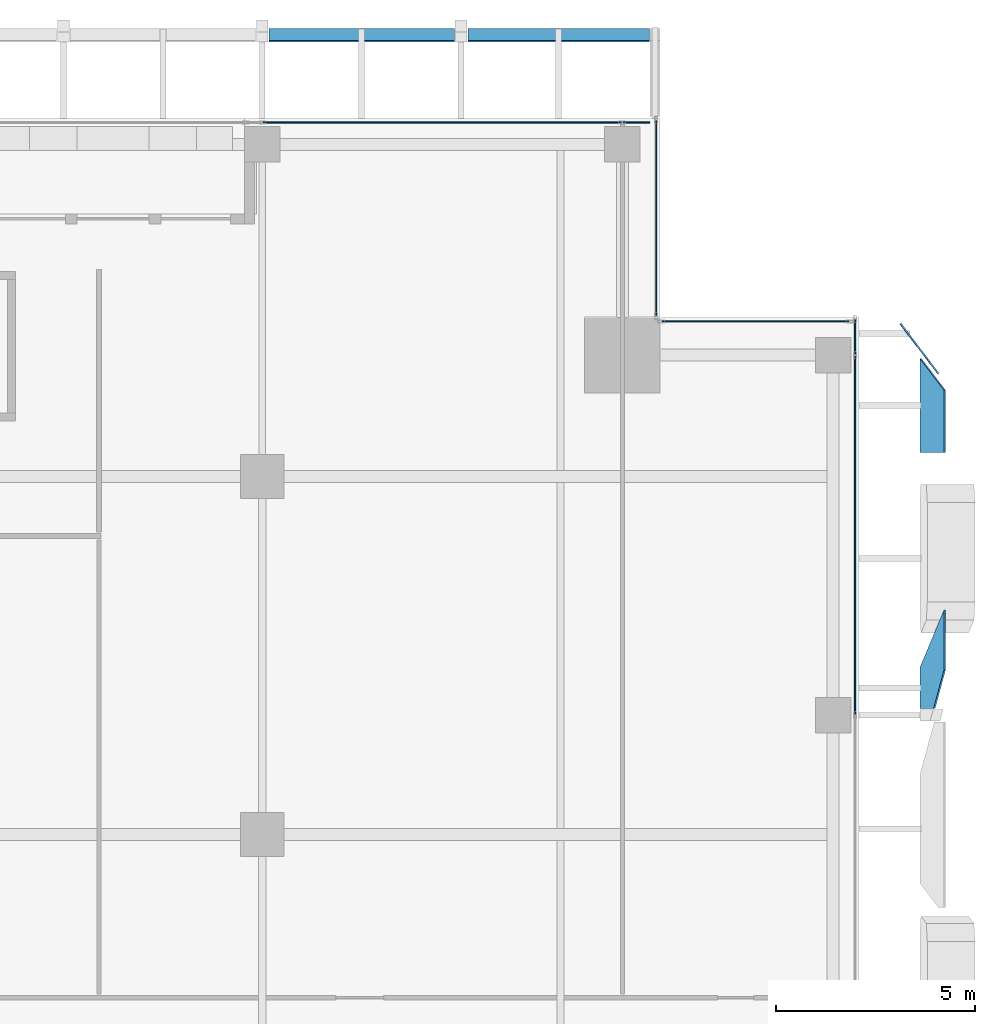
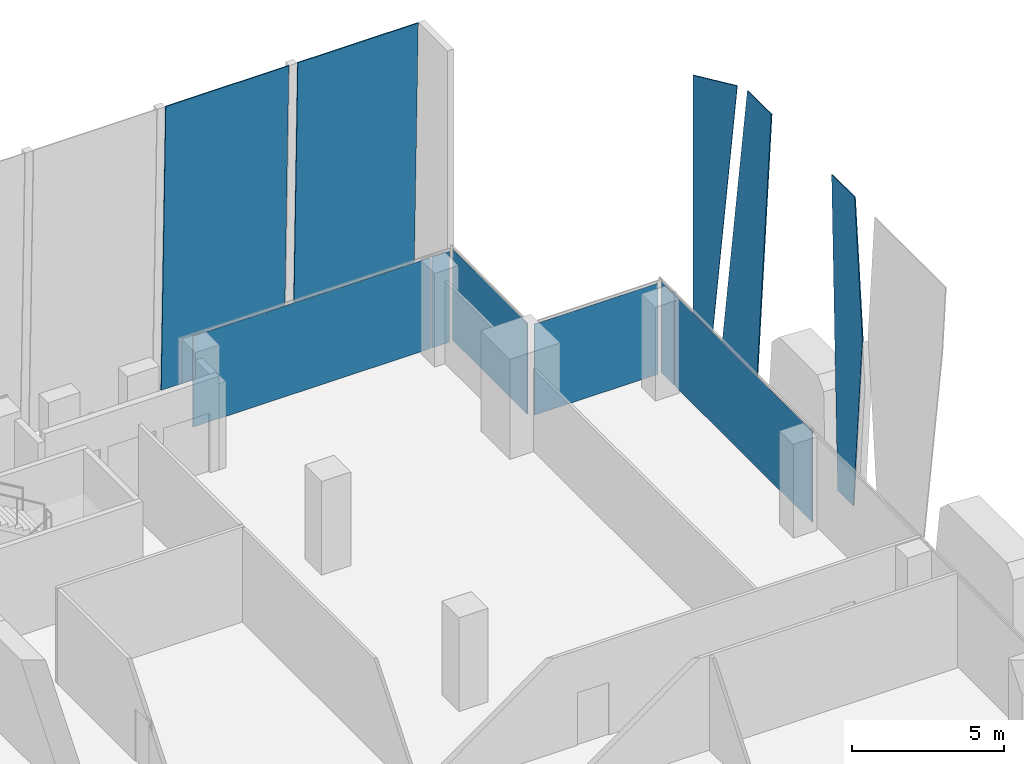
# One storey, part 25 of 33: 11 plates, 4 elements without a shape of their own.
"""IFC4 building model written with IfcOpenShell, lengths in metres."""

from ifc_helpers import new_model, si_unit, direction, frame, origin, origin_2d, place, context, subcontext, project, spatial, polyline, rectangle, outline, extrude, source, transform, mapped, material, layer, layer_set, type_object, element, aggregate, save


model = new_model("IFC4")

# Units and contexts
model_context = context("Model", 3, precision=1e-05, world=origin(), true_north=direction((0.0, 1.0)))
body_context = subcontext(model_context, "Body", "Model", "MODEL_VIEW")
ifc_project = project(units=[si_unit("LENGTHUNIT", "METRE"), si_unit("AREAUNIT", "SQUARE_METRE"), si_unit("VOLUMEUNIT", "CUBIC_METRE"), si_unit("PLANEANGLEUNIT", "RADIAN"), si_unit("MASSUNIT", "GRAM", prefix="KILO")], contexts=[model_context])

# Site, building, storey
site_placement = place(None, origin())
site = spatial("IfcSite", under=ifc_project, at=site_placement, CompositionType="ELEMENT")
building_placement = place(site_placement, origin())
building = spatial("IfcBuilding", under=site, at=building_placement, Name="Khomas Fold Tower", CompositionType="ELEMENT")
storey_placement = place(building_placement, frame((0.0, 0.0, 234.199951171875)))
storey = spatial("IfcBuildingStorey", under=building, at=storey_placement, Name="L52", CompositionType="ELEMENT", Elevation=234.199951171875)

# Plates
ifc_material_1 = material(Name="Clear laminated glass", Category="glass")
ifc_layer_1 = layer(ifc_material_1, 0.0400390625)
ifc_layer_set_1 = layer_set([ifc_layer_1], Name="Clear laminated glass")
plate_type_1 = type_object("IfcPlateType", Name="SK-Clear laminated glass leaf", PredefinedType="SHEET", material=ifc_layer_set_1)
plate_1_placement = place(storey_placement, frame((51.02880859375, 35.698486328125, 0.0), z_axis=(-0.998628934894, 2.4559259e-05, 0.052347395239), x_axis=(-2.4525586e-05, -0.999999999698, 1.285613e-06)))
element("IfcPlate", 1, at=plate_1_placement, inside=storey, type_object=plate_type_1, Name="OUTER SKIN glass L52 EG103-8", PredefinedType="SHEET", context=body_context, shape_type="SweptSolid", body=[
    extrude(outline(polyline([(0.0, 0.0), (1.028564452814807, 0.0), (1.0285644543456718, 6.553904439711552), (0.06591796814949342, 11.565907674659146), (-1.4436035157702674, 11.565907674659146), (0.0, 0.0)])), origin(), (0.0, 0.0, -1.0), 0.0400390625),
])
plate_2_placement = place(storey_placement, frame((51.02880859375, 43.46875, 0.0), z_axis=(-0.99862882819, 0.0, 0.052349436554), x_axis=(0.0, -1.0, 0.0)))
element("IfcPlate", 2, at=plate_2_placement, inside=storey, type_object=plate_type_1, Name="OUTER SKIN glass L52 EG104-10", PredefinedType="SHEET", context=body_context, shape_type="SweptSolid", body=[
    extrude(outline(polyline([(0.0, 0.0), (2.36865234375, 0.0), (2.36865234375, 11.565907674683308), (0.799560546875, 11.565907674683308), (0.0, 0.0)])), origin(), (0.0, 0.0, -1.0), 0.0400390625),
])
plate_3_placement = place(storey_placement, frame((50.877197265625, 43.86962890625, 0.0), z_axis=(-0.797399027608, -0.603452393108, 4.709485e-06), x_axis=(0.052200050116, -0.068969114787, 0.996252184928)))
element("IfcPlate", 3, at=plate_3_placement, inside=storey, type_object=plate_type_1, Name="OUTER SKIN glass L52 EG104-11", PredefinedType="SHEET", context=body_context, shape_type="SweptSolid", body=[
    extrude(outline(polyline([(0.0, 0.0), (11.59349911911952, 2.220446049250313e-16), (11.456818699888862, 1.574268515751649), (-0.04994268115327237, 0.5752337571620276), (0.0, 0.0)])), origin(), (0.0, 0.0, -1.0), 0.0400390625),
])
plate_4_placement = place(storey_placement, frame((34.669921875, 51.76513671875, 0.0009765625), z_axis=(0.0, 0.999657230839, 0.026180543005), x_axis=(1.0, 0.0, 0.0)))
element("IfcPlate", 4, at=plate_4_placement, inside=storey, type_object=plate_type_1, Name="OUTER SKIN glass L52 N11", PredefinedType="SHEET", context=body_context, shape_type="SweptSolid", body=[
    extrude(outline(polyline([(0.0, 0.0), (4.66015625, 0.0), (4.66015625, -11.554009186164079), (0.0, -11.554009186164079), (0.0, 0.0)])), origin(), (0.0, 0.0, -1.0), 0.0400390625),
])
plate_5_placement = place(storey_placement, frame((39.669921875, 51.76513671875, 0.0009765625), z_axis=(0.0, 0.999657230839, 0.026180543005), x_axis=(1.0, 0.0, 0.0)))
element("IfcPlate", 5, at=plate_5_placement, inside=storey, type_object=plate_type_1, Name="OUTER SKIN glass L52 N13", PredefinedType="SHEET", context=body_context, shape_type="SweptSolid", body=[
    extrude(outline(polyline([(0.0, 0.0), (4.56005859375, 0.0), (4.56005859375, -11.554009186164079), (0.0, -11.554009186164079), (0.0, 0.0)])), origin(), (0.0, 0.0, -1.0), 0.0400390625),
])

# Curtain wall, plate
ifc_material_2 = material(Name="Aluminium framed double glazing", Category="aluminium")
curtain_wall_type = type_object("IfcCurtainWallType", Name="SK-Unitised clear-glass wall, office floors CW2", PredefinedType="NOTDEFINED", material=ifc_material_2)
curtain_wall_1_placement = place(storey_placement, origin())
curtain_wall_1 = element("IfcCurtainWall", 6, at=curtain_wall_1_placement, inside=storey, type_object=curtain_wall_type, Name="CW2 run L52 06-0", PredefinedType="NOTDEFINED")
ifc_material_3 = material(Name="Clear double glazed unit")
ifc_layer_2 = layer(ifc_material_3, 0.030029296875)
ifc_layer_set_2 = layer_set([ifc_layer_2], Name="Clear double glazed unit")
plate_type_2 = type_object("IfcPlateType", Name="SK-Unitised clear-glass wall, office floors glass panel CW2-P", PredefinedType="CURTAIN_PANEL", material=ifc_layer_set_2)
shared_shape_1 = source(origin(), body_context, "Body", "SweptSolid", [
    extrude(rectangle(XDim=0.659912109375, YDim=0.030029296875, at=origin_2d()), origin(), (0.0, 0.0, 1.0), 3.639892578125),
])
plate_6_placement = place(storey_placement, frame((43.909912109375, 49.39990234375, 0.0), z_axis=(0.0, 0.0, 1.0), x_axis=(-1.0, 0.0, 0.0)))
plate_6 = element("IfcPlate", 7, at=plate_6_placement, type_object=plate_type_2, Name="CW2 glass panel 1", PredefinedType="CURTAIN_PANEL", context=body_context, shape_type="MappedRepresentation", body=[
    mapped(shared_shape_1, transform((0.0, 0.0, 0.0))),
])

# Curtain wall, plates
curtain_wall_2_placement = place(storey_placement, origin())
curtain_wall_2 = element("IfcCurtainWall", 8, at=curtain_wall_2_placement, inside=storey, type_object=curtain_wall_type, Name="CW2 run L52 03-0", PredefinedType="NOTDEFINED")
shared_shape_2 = source(origin(), body_context, "Body", "SweptSolid", [
    extrude(rectangle(XDim=0.860107421875, YDim=0.030029296875, at=origin_2d()), origin(), (0.0, 0.0, 1.0), 3.639892578125),
])
plate_7_placement = place(storey_placement, frame((49.39990234375, 44.010009765625, 0.0), z_axis=(0.0, 0.0, 1.0), x_axis=(0.0, 1.0, 0.0)))
plate_7 = element("IfcPlate", 9, at=plate_7_placement, type_object=plate_type_2, Name="CW2 glass panel 6", PredefinedType="CURTAIN_PANEL", context=body_context, shape_type="MappedRepresentation", body=[
    mapped(shared_shape_2, transform((0.0, 0.0, 0.0))),
])
shared_shape_3 = source(origin(), body_context, "Body", "SweptSolid", [
    extrude(rectangle(XDim=8.989990234375, YDim=0.030029296875, at=origin_2d()), origin(), (0.0, 0.0, 1.0), 3.639892578125),
])
plate_8_placement = place(storey_placement, frame((49.39990234375, 39.02490234375, 0.0), z_axis=(0.0, 0.0, 1.0), x_axis=(0.0, 1.0, 0.0)))
plate_8 = element("IfcPlate", 10, at=plate_8_placement, type_object=plate_type_2, Name="CW2 glass panel 5", PredefinedType="CURTAIN_PANEL", context=body_context, shape_type="MappedRepresentation", body=[
    mapped(shared_shape_3, transform((0.0, 0.0, 0.0))),
])
aggregate(curtain_wall_2, [plate_8, plate_7])

# Plate
plate_9_placement = place(storey_placement, frame((39.02490234375, 49.39990234375, 0.0), z_axis=(0.0, 0.0, 1.0), x_axis=(-1.0, 0.0, 0.0)))
plate_9 = element("IfcPlate", 11, at=plate_9_placement, type_object=plate_type_2, Name="CW2 glass panel 2", PredefinedType="CURTAIN_PANEL", context=body_context, shape_type="MappedRepresentation", body=[
    mapped(shared_shape_3, transform((0.0, 0.0, 0.0))),
])

aggregate(curtain_wall_1, [plate_6, plate_9])

# Curtain wall, plate
curtain_wall_3_placement = place(storey_placement, origin())
curtain_wall_3 = element("IfcCurtainWall", 12, at=curtain_wall_3_placement, inside=storey, type_object=curtain_wall_type, Name="CW2 corner return L52 04", PredefinedType="NOTDEFINED")
shared_shape_4 = source(origin(), body_context, "Body", "SweptSolid", [
    extrude(rectangle(XDim=4.679931640625, YDim=0.030029296875, at=origin_2d()), origin(), (0.0, 0.0, 1.0), 3.639892578125),
])
plate_10_placement = place(storey_placement, frame((46.89990234375, 44.39990234375, 0.0), z_axis=(0.0, 0.0, 1.0), x_axis=(-1.0, 0.0, 0.0)))
plate_10 = element("IfcPlate", 13, at=plate_10_placement, type_object=plate_type_2, Name="CW2 glass panel 1", PredefinedType="CURTAIN_PANEL", context=body_context, shape_type="MappedRepresentation", body=[
    mapped(shared_shape_4, transform((0.0, 0.0, 0.0))),
])
aggregate(curtain_wall_3, [plate_10])

curtain_wall_4_placement = place(storey_placement, origin())
curtain_wall_4 = element("IfcCurtainWall", 14, at=curtain_wall_4_placement, inside=storey, type_object=curtain_wall_type, Name="CW2 corner return L52 05", PredefinedType="NOTDEFINED")
shared_shape_5 = source(origin(), body_context, "Body", "SweptSolid", [
    extrude(rectangle(XDim=4.8798828125, YDim=0.030029296875, at=origin_2d()), origin(), (0.0, 0.0, 1.0), 3.639892578125),
])
plate_11_placement = place(storey_placement, frame((44.39990234375, 47.0, 0.0), z_axis=(0.0, 0.0, 1.0), x_axis=(0.0, 1.0, 0.0)))
plate_11 = element("IfcPlate", 15, at=plate_11_placement, type_object=plate_type_2, Name="CW2 glass panel 1", PredefinedType="CURTAIN_PANEL", context=body_context, shape_type="MappedRepresentation", body=[
    mapped(shared_shape_5, transform((0.0, 0.0, 0.0))),
])
aggregate(curtain_wall_4, [plate_11])

save(model, "model.ifc")
